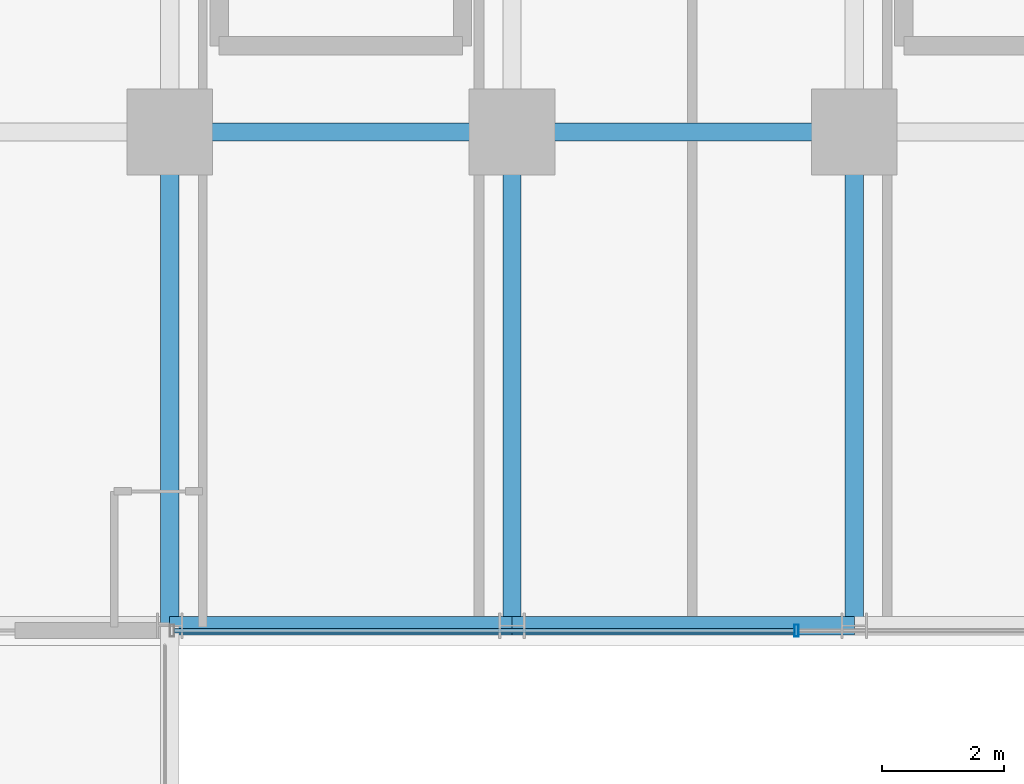
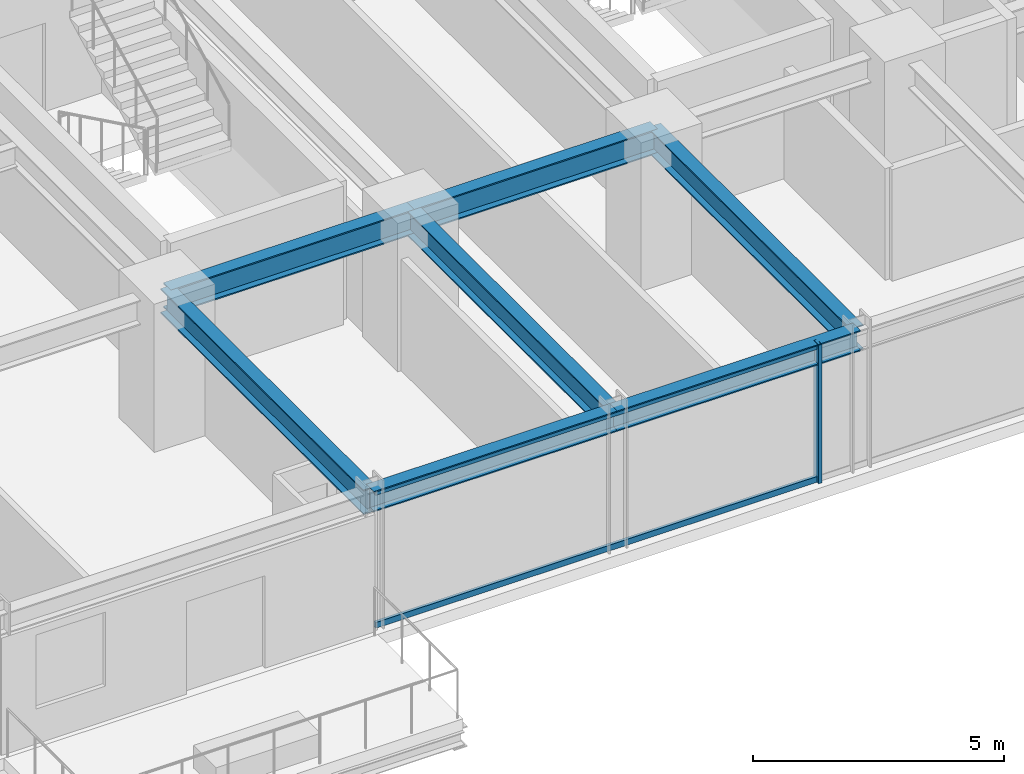
# One storey, part 6 of 37: 7 beams, 3 members, 1 element without a shape of its own.
"""IFC4 building model written with IfcOpenShell, lengths in metres."""

from ifc_helpers import new_model, si_unit, direction, frame, origin, origin_2d, place, context, subcontext, project, spatial, hollow_rectangle, i_section, extrude, source, transform, mapped, material, material_profile, profile_set, type_object, element, aggregate, save


model = new_model("IFC4")

# Units and contexts
model_context = context("Model", 3, precision=1e-05, world=origin(), true_north=direction((0.0, 1.0)))
body_context = subcontext(model_context, "Body", "Model", "MODEL_VIEW")
ifc_project = project(units=[si_unit("LENGTHUNIT", "METRE"), si_unit("AREAUNIT", "SQUARE_METRE"), si_unit("VOLUMEUNIT", "CUBIC_METRE"), si_unit("PLANEANGLEUNIT", "RADIAN"), si_unit("MASSUNIT", "GRAM", prefix="KILO")], contexts=[model_context])

# Site, building, storey
site_placement = place(None, origin())
site = spatial("IfcSite", under=ifc_project, at=site_placement, CompositionType="ELEMENT")
building_placement = place(site_placement, origin())
building = spatial("IfcBuilding", under=site, at=building_placement, Name="Nahalor Promenade Grand Hotel", CompositionType="ELEMENT")
storey_placement = place(building_placement, frame((0.0, 0.0, 65.25)))
storey = spatial("IfcBuildingStorey", under=building, at=storey_placement, Name="L15", CompositionType="ELEMENT", Elevation=65.25)

# Beams
ifc_material_1 = material(Name="Steel S355JR", Category="steel")
ifc_material_profile_1 = material_profile(ifc_material_1, i_section(OverallWidth=0.3, OverallDepth=0.6, WebThickness=0.0155, FlangeThickness=0.03, at=origin_2d()), Name="HEB 600")
ifc_profile_set_1 = profile_set([ifc_material_profile_1], Name="Steel S355JR")
beam_type_1 = type_object("IfcBeamType", Name="Beam-Girder-HEB600", PredefinedType="BEAM", material=ifc_profile_set_1)
shared_shape_1 = source(origin(), body_context, "Body", "SweptSolid", [
    extrude(i_section(OverallWidth=0.3, OverallDepth=0.6, WebThickness=0.0155, FlangeThickness=0.03, at=origin_2d()), origin(), (0.0, 0.0, 1.0), 5.599853515625),
])
beam_1_placement = place(storey_placement, frame((-8.39990234375, -17.0, 3.070068359375), z_axis=(1.0, 0.0, 0.0), x_axis=(0.0, 1.0, 0.0)))
element("IfcBeam", 1, at=beam_1_placement, inside=storey, type_object=beam_type_1, Name="BM-L15-GX-0-2", PredefinedType="BEAM", context=body_context, shape_type="MappedRepresentation", body=[
    mapped(shared_shape_1, transform((0.0, 0.0, 0.0), scale=1.0)),
])
shared_shape_2 = source(origin(), body_context, "Body", "SweptSolid", [
    extrude(i_section(OverallWidth=0.3, OverallDepth=0.6, WebThickness=0.0155, FlangeThickness=0.03, at=origin_2d()), origin(), (0.0, 0.0, 1.0), 5.60009765625),
])
beam_2_placement = place(storey_placement, frame((-2.800048828125, -17.0, 3.070068359375), z_axis=(1.0, 0.0, 0.0), x_axis=(0.0, 1.0, 0.0)))
element("IfcBeam", 2, at=beam_2_placement, inside=storey, type_object=beam_type_1, Name="BM-L15-GX-0-3", PredefinedType="BEAM", context=body_context, shape_type="MappedRepresentation", body=[
    mapped(shared_shape_2, transform((0.0, 0.0, 0.0), scale=1.0)),
])
ifc_material_profile_2 = material_profile(ifc_material_1, i_section(OverallWidth=0.3, OverallDepth=0.5, WebThickness=0.0145, FlangeThickness=0.028, at=origin_2d()), Name="HEB 500")
ifc_profile_set_2 = profile_set([ifc_material_profile_2], Name="Steel S355JR")
beam_type_2 = type_object("IfcBeamType", Name="Beam-Spandrel-HEB500", PredefinedType="SPANDREL", material=ifc_profile_set_2)
shared_shape_3 = source(origin(), body_context, "Body", "SweptSolid", [
    extrude(i_section(OverallWidth=0.3, OverallDepth=0.5, WebThickness=0.0145, FlangeThickness=0.028, at=origin_2d()), origin(), (0.0, 0.0, 1.0), 5.599853515625),
])
beam_3_placement = place(storey_placement, frame((-8.39990234375, -25.080078125, 3.1201171875), z_axis=(1.0, 0.0, 0.0), x_axis=(0.0, 1.0, 0.0)))
element("IfcBeam", 3, at=beam_3_placement, inside=storey, type_object=beam_type_2, Name="BM-L15-SP-S-1", PredefinedType="SPANDREL", context=body_context, shape_type="MappedRepresentation", body=[
    mapped(shared_shape_3, transform((0.0, 0.0, 0.0), scale=1.0)),
])
shared_shape_4 = source(origin(), body_context, "Body", "SweptSolid", [
    extrude(i_section(OverallWidth=0.3, OverallDepth=0.5, WebThickness=0.0145, FlangeThickness=0.028, at=origin_2d()), origin(), (0.0, 0.0, 1.0), 5.60009765625),
])
beam_4_placement = place(storey_placement, frame((-2.800048828125, -25.080078125, 3.1201171875), z_axis=(1.0, 0.0, 0.0), x_axis=(0.0, 1.0, 0.0)))
element("IfcBeam", 4, at=beam_4_placement, inside=storey, type_object=beam_type_2, Name="BM-L15-SP-S-2", PredefinedType="SPANDREL", context=body_context, shape_type="MappedRepresentation", body=[
    mapped(shared_shape_4, transform((0.0, 0.0, 0.0), scale=1.0)),
])
shared_shape_5 = source(origin(), body_context, "Body", "SweptSolid", [
    extrude(i_section(OverallWidth=0.3, OverallDepth=0.6, WebThickness=0.0155, FlangeThickness=0.03, at=origin_2d()), origin(), (0.0, 0.0, 1.0), 8.080078125),
])
for number, where, z_axis, x_axis, name in (
    (5, (-8.39990234375, -25.080078125, 3.070068359375), (0.0, 1.0, 0.0), (-1.0, 0.0, 0.0), "BM-L15-GY-1-0"),
    (6, (-2.800048828125, -25.080078125, 3.070068359375), (0.0, 1.0, 0.0), (-1.0, 0.0, 0.0), "BM-L15-GY-2-0"),
    (7, (2.800048828125, -25.080078125, 3.070068359375), (0.0, 1.0, 0.0), (-1.0, 0.0, 0.0), "BM-L15-GY-3-0"),
):
    element("IfcBeam", number, at=place(storey_placement, frame(where, z_axis=z_axis, x_axis=x_axis)), inside=storey, type_object=beam_type_1, Name=name, PredefinedType="BEAM", context=body_context, shape_type="MappedRepresentation", body=[
        mapped(shared_shape_5, transform((0.0, 0.0, 0.0), scale=1.0)),
    ])

# Curtain wall, members
ifc_material_2 = material(Name="Anodised Bronze Aluminium EN AW-6063 T6", Category="aluminium")
curtain_wall_type = type_object("IfcCurtainWallType", Name="CW3 Elliptical-Void Collar Unitised Curtain Wall", PredefinedType="USERDEFINED", material=ifc_material_2)
curtain_wall_placement = place(storey_placement, origin())
curtain_wall = element("IfcCurtainWall", 8, at=curtain_wall_placement, inside=storey, type_object=curtain_wall_type, Name="L15 Curtain Wall CW-L15-S-3", ObjectType="UNITISED_CURTAIN_WALL", PredefinedType="USERDEFINED")
ifc_material_profile_3 = material_profile(ifc_material_2, hollow_rectangle(XDim=0.07, YDim=0.14, WallThickness=0.004, at=origin_2d()), Name="CWT 70x140x4")
ifc_profile_set_3 = profile_set([ifc_material_profile_3], Name="Anodised Bronze Aluminium EN AW-6063 T6")
member_type_1 = type_object("IfcMemberType", Name="CWT3 Void Collar Transom 70x140", PredefinedType="USERDEFINED", material=ifc_profile_set_3)
shared_shape_6 = source(origin(), body_context, "Body", "SweptSolid", [
    extrude(hollow_rectangle(XDim=0.07, YDim=0.14, WallThickness=0.004, at=origin_2d()), origin(), (0.0, 0.0, 1.0), 10.1484375),
])
member_1_placement = place(storey_placement, frame((-8.330078125, -25.159912109375, 0.070068359375), z_axis=(1.0, 0.0, 0.0), x_axis=(0.0, 1.0, 0.0)))
member_1 = element("IfcMember", 9, at=member_1_placement, type_object=member_type_1, Name="CW-L15-S-3 Transom 0-0", ObjectType="TRANSOM", PredefinedType="USERDEFINED", context=body_context, shape_type="MappedRepresentation", body=[
    mapped(shared_shape_6, transform((0.0, 0.0, 0.0), scale=1.0)),
])
member_2_placement = place(storey_placement, frame((-8.330078125, -25.159912109375, 3.300048828125), z_axis=(1.0, 0.0, 0.0), x_axis=(0.0, 1.0, 0.0)))
member_2 = element("IfcMember", 10, at=member_2_placement, type_object=member_type_1, Name="CW-L15-S-3 Transom 0-1", ObjectType="TRANSOM", PredefinedType="USERDEFINED", context=body_context, shape_type="MappedRepresentation", body=[
    mapped(shared_shape_6, transform((0.0, 0.0, 0.0), scale=1.0)),
])
ifc_material_profile_4 = material_profile(ifc_material_2, hollow_rectangle(XDim=0.07, YDim=0.2, WallThickness=0.005, at=origin_2d()), Name="CWM 70x200x5")
ifc_profile_set_4 = profile_set([ifc_material_profile_4], Name="Anodised Bronze Aluminium EN AW-6063 T6")
member_type_2 = type_object("IfcMemberType", Name="CWM3 Void Collar Mullion 70x200", PredefinedType="MULLION", material=ifc_profile_set_4)
shared_shape_7 = source(origin(), body_context, "Body", "SweptSolid", [
    extrude(hollow_rectangle(XDim=0.07, YDim=0.2, WallThickness=0.005, at=origin_2d()), origin(), (0.0, 0.0, 1.0), 3.3701171875),
])
member_3_placement = place(storey_placement, frame((1.853271484375, -25.159912109375, 0.0), z_axis=(0.0, 0.0, 1.0), x_axis=(1.0, 0.0, 0.0)))
member_3 = element("IfcMember", 11, at=member_3_placement, type_object=member_type_2, Name="CW-L15-S-3 Mullion 1", PredefinedType="MULLION", context=body_context, shape_type="MappedRepresentation", body=[
    mapped(shared_shape_7, transform((0.0, 0.0, 0.0), scale=1.0)),
])
aggregate(curtain_wall, [member_3, member_1, member_2])

save(model, "model.ifc")
